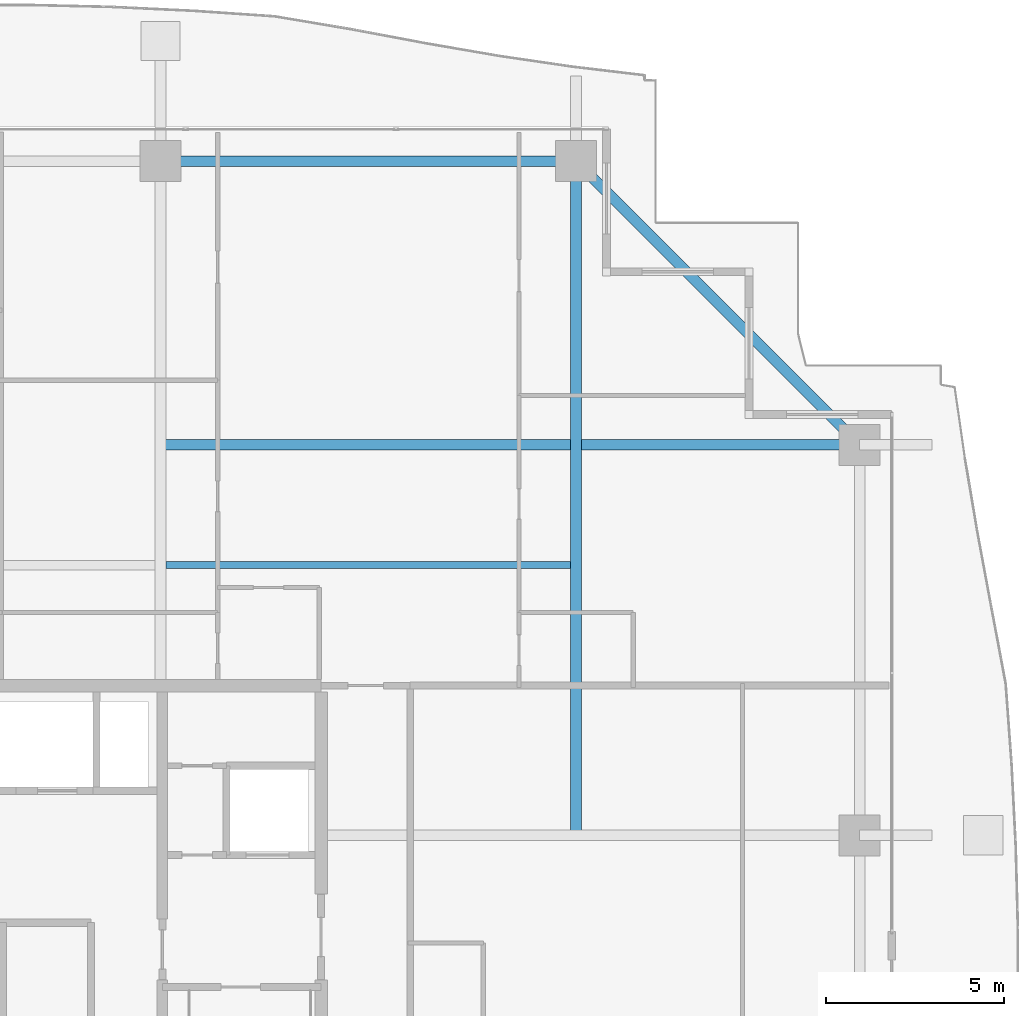
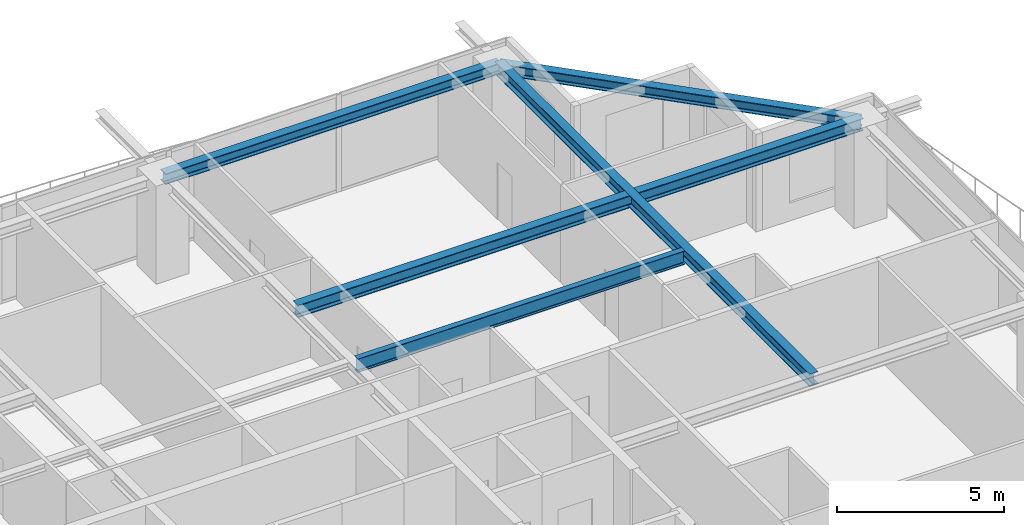
# One storey, part 22 of 37: 5 beams.
"""IFC4 building model written with IfcOpenShell, lengths in metres."""

from ifc_helpers import new_model, si_unit, direction, frame, origin, origin_2d, place, context, subcontext, project, spatial, i_section, extrude, source, transform, mapped, material, material_profile, profile_set, type_object, element, save


model = new_model("IFC4")

# Units and contexts
model_context = context("Model", 3, precision=1e-05, world=origin(), true_north=direction((0.0, 1.0)))
body_context = subcontext(model_context, "Body", "Model", "MODEL_VIEW")
ifc_project = project(units=[si_unit("LENGTHUNIT", "METRE"), si_unit("AREAUNIT", "SQUARE_METRE"), si_unit("VOLUMEUNIT", "CUBIC_METRE"), si_unit("PLANEANGLEUNIT", "RADIAN"), si_unit("MASSUNIT", "GRAM", prefix="KILO")], contexts=[model_context])

# Site, building, storey
site_placement = place(None, origin())
site = spatial("IfcSite", under=ifc_project, at=site_placement, CompositionType="ELEMENT")
building_placement = place(site_placement, origin())
building = spatial("IfcBuilding", under=site, at=building_placement, Name="Serunith Strait Residences", CompositionType="ELEMENT")
storey_placement = place(building_placement, frame((0.0, 0.0, 233.550048828125)))
storey = spatial("IfcBuildingStorey", under=building, at=storey_placement, Name="L58", CompositionType="ELEMENT", Elevation=233.550048828125)

# Beams
ifc_material = material(Name="Steel S355J2", Category="steel")
ifc_material_profile_1 = material_profile(ifc_material, i_section(OverallWidth=0.300048828125, OverallDepth=0.449951171875, WebThickness=0.013916015625, FlangeThickness=0.02587890625, FilletRadius=0.027099609375, at=origin_2d()), Name="HEB 450")
ifc_profile_set_1 = profile_set([ifc_material_profile_1], Name="Steel S355J2")
beam_type_1 = type_object("IfcBeamType", Name="BM-HEB450", PredefinedType="BEAM", material=ifc_profile_set_1)
shared_shape_1 = source(origin(), body_context, "Body", "SweptSolid", [
    extrude(i_section(OverallWidth=0.300048828125, OverallDepth=0.449951171875, WebThickness=0.013916015625, FlangeThickness=0.02587890625, FilletRadius=0.027099609375, at=origin_2d()), origin(), (0.0, 0.0, 1.0), 18.900146484375),
])
beam_1_placement = place(storey_placement, frame((48.550048828125, 29.39990234375, 3.362060546875), z_axis=(0.0, 1.0, 0.0), x_axis=(-1.0, 0.0, 0.0)))
element("IfcBeam", 1, at=beam_1_placement, inside=storey, type_object=beam_type_1, Name="L58 Orthogonal Corner Girder TC-N4", PredefinedType="BEAM", context=body_context, shape_type="MappedRepresentation", body=[
    mapped(shared_shape_1, transform((0.0, 0.0, 0.0), scale=1.0)),
])
shared_shape_2 = source(origin(), body_context, "Body", "SweptSolid", [
    extrude(i_section(OverallWidth=0.300048828125, OverallDepth=0.449951171875, WebThickness=0.013916015625, FlangeThickness=0.02587890625, FilletRadius=0.027099609375, at=origin_2d()), origin(), (0.0, 0.0, 1.0), 19.60009765625),
])
beam_2_placement = place(storey_placement, frame((36.89990234375, 40.35009765625, 3.362060546875), z_axis=(1.0, 0.0, 0.0), x_axis=(0.0, 1.0, 0.0)))
element("IfcBeam", 2, at=beam_2_placement, inside=storey, type_object=beam_type_1, Name="L58 Orthogonal Corner Girder TC-E4", PredefinedType="BEAM", context=body_context, shape_type="MappedRepresentation", body=[
    mapped(shared_shape_2, transform((0.0, 0.0, 0.0), scale=1.0)),
])
ifc_material_profile_2 = material_profile(ifc_material, i_section(OverallWidth=0.300048828125, OverallDepth=0.39990234375, WebThickness=0.013427734375, FlangeThickness=0.02392578125, FilletRadius=0.027099609375, at=origin_2d()), Name="HEB 400")
ifc_profile_set_2 = profile_set([ifc_material_profile_2], Name="Steel S355J2")
beam_type_2 = type_object("IfcBeamType", Name="BM-HEB400", PredefinedType="BEAM", material=ifc_profile_set_2)
shared_shape_3 = source(origin(), body_context, "Body", "SweptSolid", [
    extrude(i_section(OverallWidth=0.300048828125, OverallDepth=0.39990234375, WebThickness=0.013427734375, FlangeThickness=0.02392578125, FilletRadius=0.027099609375, at=origin_2d()), origin(), (0.0, 0.0, 1.0), 11.650146484375),
])
beam_3_placement = place(storey_placement, frame((48.550048828125, 48.300048828125, 3.386962890625), z_axis=(-1.0, 0.0, 0.0), x_axis=(0.0, -1.0, 0.0)))
element("IfcBeam", 3, at=beam_3_placement, inside=storey, type_object=beam_type_2, Name="L58 Perimeter Ring Beam 09", PredefinedType="BEAM", context=body_context, shape_type="MappedRepresentation", body=[
    mapped(shared_shape_3, transform((0.0, 0.0, 0.0), scale=1.0)),
])
shared_shape_4 = source(origin(), body_context, "Body", "SweptSolid", [
    extrude(i_section(OverallWidth=0.300048828125, OverallDepth=0.39990234375, WebThickness=0.013427734375, FlangeThickness=0.02392578125, FilletRadius=0.027099609375, at=origin_2d()), origin(), (0.0, 0.0, 1.0), 11.242919921875),
])
beam_4_placement = place(storey_placement, frame((56.5, 40.35009765625, 3.35693359375), z_axis=(-0.707106781187, 0.707106781187, 0.0), x_axis=(-0.707106781187, -0.707106781187, 0.0)))
element("IfcBeam", 4, at=beam_4_placement, inside=storey, type_object=beam_type_2, Name="L58 Perimeter Ring Beam 08", PredefinedType="BEAM", context=body_context, shape_type="MappedRepresentation", body=[
    mapped(shared_shape_4, transform((0.0, 0.0, 0.0), scale=1.0)),
])
ifc_material_profile_3 = material_profile(ifc_material, i_section(OverallWidth=0.199951171875, OverallDepth=0.5, WebThickness=0.01025390625, FlangeThickness=0.01611328125, FilletRadius=0.02099609375, at=origin_2d()), Name="IPE 500")
ifc_profile_set_3 = profile_set([ifc_material_profile_3], Name="Steel S355J2")
beam_type_3 = type_object("IfcBeamType", Name="BM-IPE500", PredefinedType="JOIST", material=ifc_profile_set_3)
shared_shape_5 = source(origin(), body_context, "Body", "SweptSolid", [
    extrude(i_section(OverallWidth=0.199951171875, OverallDepth=0.5, WebThickness=0.01025390625, FlangeThickness=0.01611328125, FilletRadius=0.02099609375, at=origin_2d()), origin(), (0.0, 0.0, 1.0), 11.349853515625),
])
beam_5_placement = place(storey_placement, frame((37.050048828125, 36.97509765625, 3.3369140625), z_axis=(1.0, 0.0, 0.0), x_axis=(0.0, 1.0, 0.0)))
element("IfcBeam", 5, at=beam_5_placement, inside=storey, type_object=beam_type_3, Name="L58 Composite Floor Joist 06", PredefinedType="JOIST", context=body_context, shape_type="MappedRepresentation", body=[
    mapped(shared_shape_5, transform((0.0, 0.0, 0.0), scale=1.0)),
])

save(model, "model.ifc")
